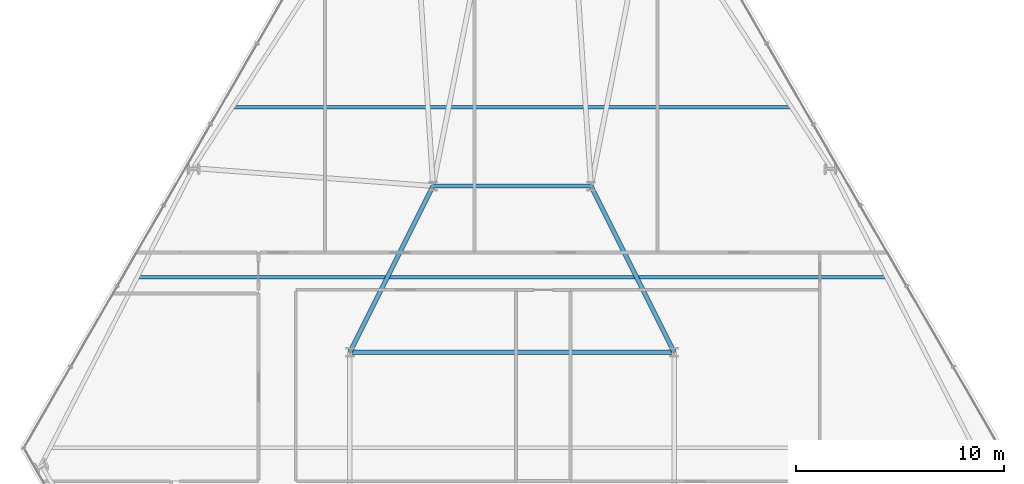
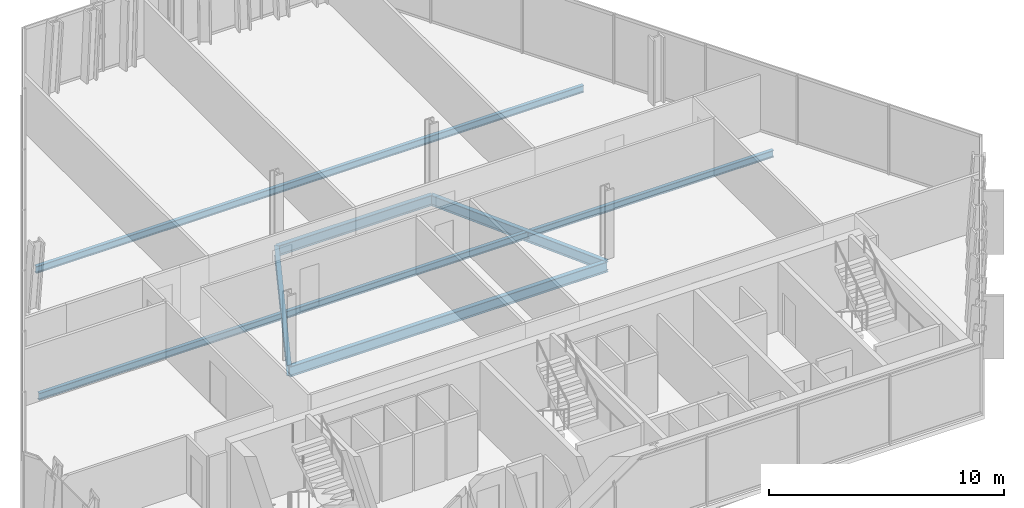
# One storey, part 14 of 32: 6 beams.
"""IFC4 building model written with IfcOpenShell, lengths in metres."""

from ifc_helpers import new_model, si_unit, direction, frame, origin, origin_2d, place, context, subcontext, project, spatial, i_section, extrude, material, material_profile, profile_set, type_object, element, save


model = new_model("IFC4")

# Units and contexts
model_context = context("Model", 3, precision=1e-05, world=origin(), true_north=direction((0.0, 1.0)))
body_context = subcontext(model_context, "Body", "Model", "MODEL_VIEW")
ifc_project = project(units=[si_unit("LENGTHUNIT", "METRE"), si_unit("AREAUNIT", "SQUARE_METRE"), si_unit("VOLUMEUNIT", "CUBIC_METRE"), si_unit("PLANEANGLEUNIT", "RADIAN"), si_unit("MASSUNIT", "GRAM", prefix="KILO")], contexts=[model_context])

# Site, building, storey
site_placement = place(None, origin())
site = spatial("IfcSite", under=ifc_project, at=site_placement, CompositionType="ELEMENT")
building_placement = place(site_placement, origin())
building = spatial("IfcBuilding", under=site, at=building_placement, Name="Ndaravel Arena Tower", CompositionType="ELEMENT")
storey_placement = place(building_placement, frame((0.0, 0.0, 66.39990234375)))
storey = spatial("IfcBuildingStorey", under=building, at=storey_placement, Name="L14", CompositionType="ELEMENT", Elevation=66.39990234375)

# Beams
ifc_material_1 = material(Name="Steel S355", Category="steel")
ifc_material_profile_1 = material_profile(ifc_material_1, i_section(OverallWidth=0.210693359375, OverallDepth=0.53955078125, WebThickness=0.01171875, FlangeThickness=0.018798828125, FilletRadius=0.0126953125, at=origin_2d()), Name="UB 533x210x109")
ifc_profile_set_1 = profile_set([ifc_material_profile_1], Name="Steel S355")
beam_type_1 = type_object("IfcBeamType", Name="BM-GIRD-UB533", PredefinedType="BEAM", material=ifc_profile_set_1)
beam_1_placement = place(storey_placement, frame((34.199951171875, 23.199951171875, -0.489501953125), z_axis=(1.0, 0.0, 0.0), x_axis=(0.0, 1.0, 0.0)))
element("IfcBeam", 1, at=beam_1_placement, inside=storey, type_object=beam_type_1, Name="L14 Spine Link Girder SLG-03", PredefinedType="BEAM", context=body_context, shape_type="SweptSolid", body=[
    extrude(i_section(OverallWidth=0.210693359375, OverallDepth=0.53955078125, WebThickness=0.01171875, FlangeThickness=0.018798828125, FilletRadius=0.0126953125, at=origin_2d()), origin(), (0.0, 0.0, 1.0), 15.60009765625),
])
for number, where, z_axis, x_axis, name in (
    (2, (34.199951171875, 23.199951171875, -0.489501953125), (0.4472135955, 0.894427191, 0.0), (-0.894427191, 0.4472135955, 0.0), "L14 Spine Link Girder SLG-04"),
    (3, (49.800048828125, 23.199951171875, -0.489501953125), (-0.4472135955, 0.894427191, 0.0), (-0.894427191, -0.4472135955, 0.0), "L14 Spine Link Girder SLG-05"),
):
    element("IfcBeam", number, at=place(storey_placement, frame(where, z_axis=z_axis, x_axis=x_axis)), inside=storey, type_object=beam_type_1, Name=name, PredefinedType="BEAM", context=body_context, shape_type="SweptSolid", body=[
        extrude(i_section(OverallWidth=0.210693359375, OverallDepth=0.53955078125, WebThickness=0.01171875, FlangeThickness=0.018798828125, FilletRadius=0.0126953125, at=origin_2d()), origin(), (0.0, 0.0, 1.0), 8.9443359375),
    ])
beam_2_placement = place(storey_placement, frame((38.199951171875, 31.199951171875, -0.489501953125), z_axis=(1.0, 0.0, 0.0), x_axis=(0.0, 1.0, 0.0)))
element("IfcBeam", 4, at=beam_2_placement, inside=storey, type_object=beam_type_1, Name="L14 Spine Link Girder SLG-06", PredefinedType="BEAM", context=body_context, shape_type="SweptSolid", body=[
    extrude(i_section(OverallWidth=0.210693359375, OverallDepth=0.53955078125, WebThickness=0.01171875, FlangeThickness=0.018798828125, FilletRadius=0.0126953125, at=origin_2d()), origin(), (0.0, 0.0, 1.0), 7.60009765625),
])
ifc_material_2 = material(Name="Steel S355", Category="steel")
ifc_material_profile_2 = material_profile(ifc_material_2, i_section(OverallWidth=0.169921875, OverallDepth=0.360107421875, WebThickness=0.008056640625, FlangeThickness=0.0126953125, FilletRadius=0.01806640625, at=origin_2d()), Name="IPE 360")
ifc_profile_set_2 = profile_set([ifc_material_profile_2], Name="Steel S355")
beam_type_2 = type_object("IfcBeamType", Name="BM-JOIST-IPE360", PredefinedType="JOIST", material=ifc_profile_set_2)
beam_3_placement = place(storey_placement, frame((23.964599609375, 26.800048828125, -0.39990234375), z_axis=(1.0, 0.0, 0.0), x_axis=(0.0, 1.0, 0.0)))
element("IfcBeam", 5, at=beam_3_placement, inside=storey, type_object=beam_type_2, Name="L14 Composite Floor Joist FJ-02", PredefinedType="JOIST", context=body_context, shape_type="SweptSolid", body=[
    extrude(i_section(OverallWidth=0.169921875, OverallDepth=0.360107421875, WebThickness=0.008056640625, FlangeThickness=0.0126953125, FilletRadius=0.01806640625, at=origin_2d()), origin(), (0.0, 0.0, 1.0), 36.07080078125),
])
beam_4_placement = place(storey_placement, frame((28.556884765625, 35.0, -0.39990234375), z_axis=(1.0, 0.0, 0.0), x_axis=(0.0, 1.0, 0.0)))
element("IfcBeam", 6, at=beam_4_placement, inside=storey, type_object=beam_type_2, Name="L14 Composite Floor Joist FJ-03", PredefinedType="JOIST", context=body_context, shape_type="SweptSolid", body=[
    extrude(i_section(OverallWidth=0.169921875, OverallDepth=0.360107421875, WebThickness=0.008056640625, FlangeThickness=0.0126953125, FilletRadius=0.01806640625, at=origin_2d()), origin(), (0.0, 0.0, 1.0), 26.88623046875),
])

save(model, "model.ifc")
